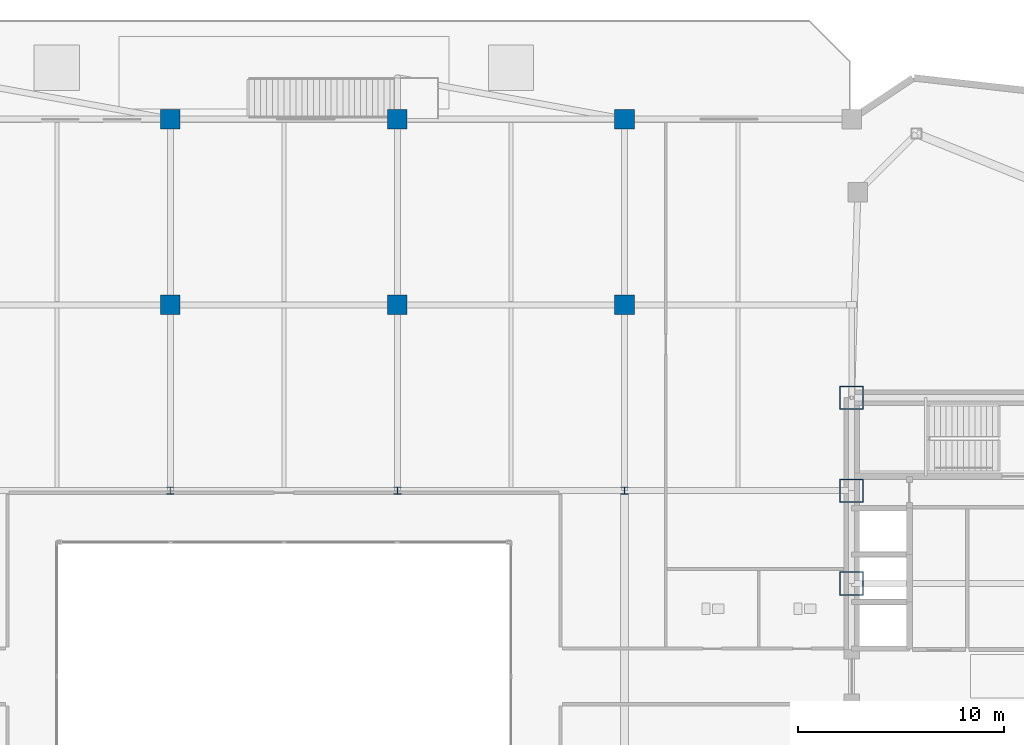
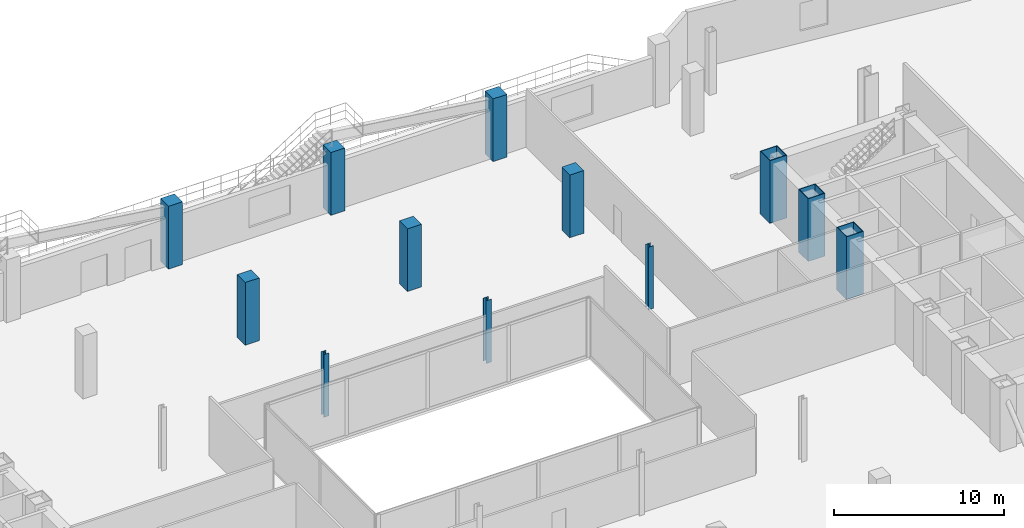
# One storey, part 7 of 25: 12 columns.
"""IFC4 building model written with IfcOpenShell, lengths in metres."""

from ifc_helpers import new_model, si_unit, direction, frame, origin, origin_2d, place, context, subcontext, project, spatial, rectangle, hollow_rectangle, i_section, extrude, source, transform, mapped, material, material_profile, profile_set, type_object, type_shapes, element, save


model = new_model("IFC4")

# Units and contexts
model_context = context("Model", 3, precision=1e-05, world=origin(), true_north=direction((0.0, 1.0)))
body_context = subcontext(model_context, "Body", "Model", "MODEL_VIEW")
ifc_project = project(units=[si_unit("LENGTHUNIT", "METRE"), si_unit("AREAUNIT", "SQUARE_METRE"), si_unit("VOLUMEUNIT", "CUBIC_METRE"), si_unit("PLANEANGLEUNIT", "RADIAN"), si_unit("MASSUNIT", "GRAM", prefix="KILO")], contexts=[model_context])

# Site, building, storey
site_placement = place(None, origin())
site = spatial("IfcSite", under=ifc_project, at=site_placement, CompositionType="ELEMENT")
building_placement = place(site_placement, origin())
building = spatial("IfcBuilding", under=site, at=building_placement, Name="Seokmaru Belvedere", CompositionType="ELEMENT")
storey_placement = place(building_placement, frame((0.0, 0.0, 5.39990234375)))
storey = spatial("IfcBuildingStorey", under=building, at=storey_placement, Name="L01", CompositionType="ELEMENT", Elevation=5.39990234375)

# Columns
ifc_material_1 = material(Name="Steel HSA650 (650 MPa)", Category="steel")
ifc_material_profile_1 = material_profile(ifc_material_1, hollow_rectangle(XDim=1.14990234375, YDim=1.14990234375, WallThickness=0.048095703125, at=origin_2d()), Name="BOX-1150x1150x48")
ifc_profile_set_1 = profile_set([ifc_material_profile_1], Name="Steel HSA650 (650 MPa)")
column_type_1 = type_object("IfcColumnType", Name="Portal Spine Column BOX-1150", PredefinedType="COLUMN", material=ifc_profile_set_1)
shared_shape_1 = source(origin(), body_context, "Body", "SweptSolid", [
    extrude(hollow_rectangle(XDim=1.14990234375, YDim=1.14990234375, WallThickness=0.048095703125, at=origin_2d()), origin(), (0.0, 0.0, 1.0), 4.5),
])
type_shapes(column_type_1, [shared_shape_1])
for number, where, z_axis, x_axis, name in (
    (1, (27.5, 4.5, 0.0), (0.0, 0.0, 1.0), (1.0, 0.0, 0.0), "L01 Column ES4"),
    (2, (27.5, 9.0, 0.0), (0.0, 0.0, 1.0), (1.0, 0.0, 0.0), "L01 Column ES5"),
    (3, (27.5, 13.5, 0.0), (0.0, 0.0, 1.0), (1.0, 0.0, 0.0), "L01 Column ES6"),
):
    element("IfcColumn", number, at=place(storey_placement, frame(where, z_axis=z_axis, x_axis=x_axis)), inside=storey, type_object=column_type_1, Name=name, PredefinedType="COLUMN", context=body_context, shape_type="MappedRepresentation", body=[
        mapped(shared_shape_1, transform((0.0, 0.0, 0.0), scale=1.0)),
    ])
ifc_material_2 = material(Name="Concrete C50 (50 MPa)", Category="concrete")
ifc_material_profile_2 = material_profile(ifc_material_2, rectangle(XDim=0.949951171875, YDim=0.949951171875, at=origin_2d()), Name="RC-950x950")
ifc_profile_set_2 = profile_set([ifc_material_profile_2], Name="Concrete C50 (50 MPa)")
column_type_2 = type_object("IfcColumnType", Name="Podium Substructure Column RC-950", PredefinedType="COLUMN", material=ifc_profile_set_2)
shared_shape_2 = source(origin(), body_context, "Body", "SweptSolid", [
    extrude(rectangle(XDim=0.949951171875, YDim=0.949951171875, at=origin_2d()), origin(), (0.0, 0.0, 1.0), 4.5),
])
type_shapes(column_type_2, [shared_shape_2])
for number, where, z_axis, x_axis, name in (
    (4, (-5.5, 18.0, 0.0), (0.0, 0.0, 1.0), (1.0, 0.0, 0.0), "L01 Column CP2_5"),
    (5, (-5.5, 27.0, 0.0), (0.0, 0.0, 1.0), (1.0, 0.0, 0.0), "L01 Column CP2_6"),
    (6, (5.5, 18.0, 0.0), (0.0, 0.0, 1.0), (1.0, 0.0, 0.0), "L01 Column CP3_5"),
    (7, (5.5, 27.0, 0.0), (0.0, 0.0, 1.0), (1.0, 0.0, 0.0), "L01 Column CP3_6"),
    (8, (16.5, 18.0, 0.0), (0.0, 0.0, 1.0), (1.0, 0.0, 0.0), "L01 Column CP4_5"),
    (9, (16.5, 27.0, 0.0), (0.0, 0.0, 1.0), (1.0, 0.0, 0.0), "L01 Column CP4_6"),
):
    element("IfcColumn", number, at=place(storey_placement, frame(where, z_axis=z_axis, x_axis=x_axis)), inside=storey, type_object=column_type_2, Name=name, PredefinedType="COLUMN", context=body_context, shape_type="MappedRepresentation", body=[
        mapped(shared_shape_2, transform((0.0, 0.0, 0.0), scale=1.0)),
    ])
ifc_material_3 = material(Name="Steel SM355 (355 MPa)", Category="steel")
ifc_material_profile_3 = material_profile(ifc_material_3, i_section(OverallWidth=0.35009765625, OverallDepth=0.35009765625, WebThickness=0.011962890625, FlangeThickness=0.01904296875, at=origin_2d()), Name="H-350x350x12x19")
ifc_profile_set_3 = profile_set([ifc_material_profile_3], Name="Steel SM355 (355 MPa)")
column_type_3 = type_object("IfcColumnType", Name="Podium Gallery Column H-350", PredefinedType="COLUMN", material=ifc_profile_set_3)
shared_shape_3 = source(origin(), body_context, "Body", "SweptSolid", [
    extrude(i_section(OverallWidth=0.35009765625, OverallDepth=0.35009765625, WebThickness=0.011962890625, FlangeThickness=0.01904296875, at=origin_2d()), origin(), (0.0, 0.0, 1.0), 4.5),
])
type_shapes(column_type_3, [shared_shape_3])
for number, where, z_axis, x_axis, name in (
    (10, (-5.5, 9.0, 0.0), (0.0, 0.0, 1.0), (1.0, 0.0, 0.0), "L01 Column CP2_4"),
    (11, (5.5, 9.0, 0.0), (0.0, 0.0, 1.0), (1.0, 0.0, 0.0), "L01 Column CP3_4"),
    (12, (16.5, 9.0, 0.0), (0.0, 0.0, 1.0), (1.0, 0.0, 0.0), "L01 Column CP4_4"),
):
    element("IfcColumn", number, at=place(storey_placement, frame(where, z_axis=z_axis, x_axis=x_axis)), inside=storey, type_object=column_type_3, Name=name, PredefinedType="COLUMN", context=body_context, shape_type="MappedRepresentation", body=[
        mapped(shared_shape_3, transform((0.0, 0.0, 0.0), scale=1.0)),
    ])

save(model, "model.ifc")
